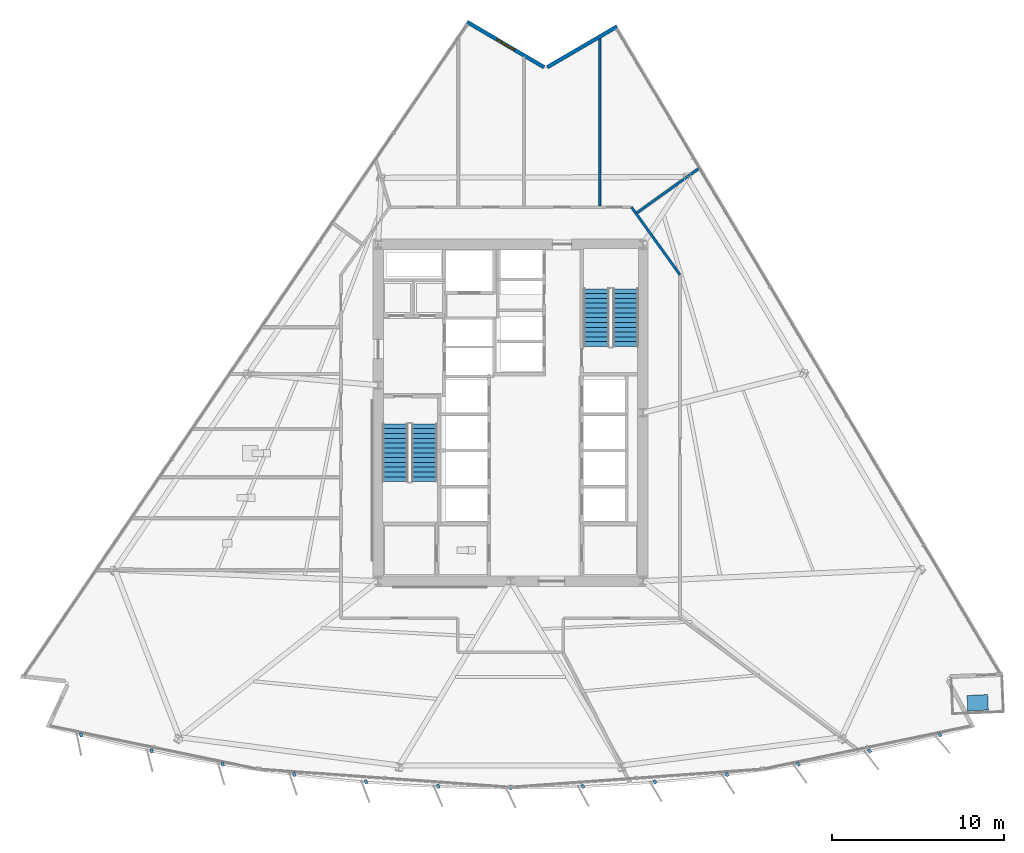
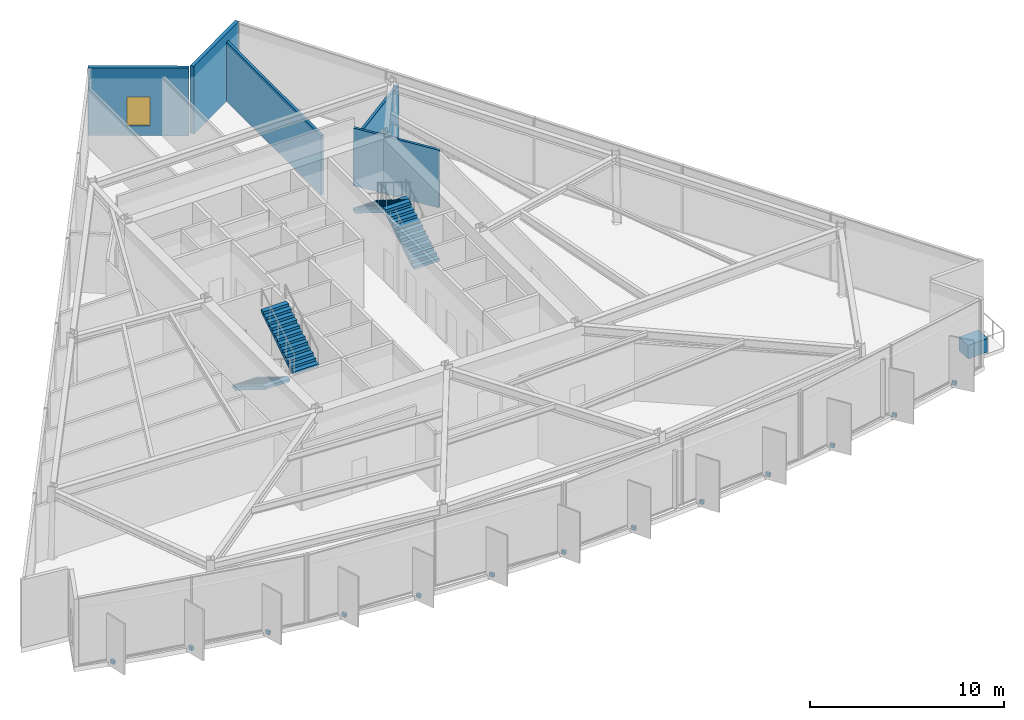
# One storey, part 9 of 14: 14 discrete accessories, 5 walls, 4 stair flights, 1 window, 1 opening, 2 elements without a shape of their own.
"""IFC4 building model written with IfcOpenShell, lengths in metres."""

from ifc_helpers import new_model, si_unit, direction, frame, frame_2d, origin, origin_2d, place, context, subcontext, project, spatial, polyline, rectangle, outline, extrude, material, layer, layer_set, type_object, element, fill, aggregate, save


model = new_model("IFC4")

# Units and contexts
model_context = context("Model", 3, precision=1e-05, world=origin(), true_north=direction((0.0, 1.0)))
body_context = subcontext(model_context, "Body", "Model", "MODEL_VIEW")
ifc_project = project(units=[si_unit("LENGTHUNIT", "METRE"), si_unit("AREAUNIT", "SQUARE_METRE"), si_unit("VOLUMEUNIT", "CUBIC_METRE"), si_unit("PLANEANGLEUNIT", "RADIAN"), si_unit("MASSUNIT", "GRAM", prefix="KILO")], contexts=[model_context])

# Site, building, storey
site_placement = place(None, origin())
site = spatial("IfcSite", under=ifc_project, at=site_placement, CompositionType="ELEMENT")
building_placement = place(site_placement, origin())
building = spatial("IfcBuilding", under=site, at=building_placement, Name="Savorim Split Tower", CompositionType="ELEMENT")
storey_placement = place(building_placement, frame((0.0, 0.0, 78.0)))
storey = spatial("IfcBuildingStorey", under=building, at=storey_placement, Name="L20", CompositionType="ELEMENT", Elevation=78.0)

# Wall
ifc_material_1 = material(Name="Precast concrete C40/50", Category="concrete")
ifc_layer_1 = layer(ifc_material_1, 0.219970703125)
ifc_layer_set_1 = layer_set([ifc_layer_1], Name="WAL-EXT-CRN220")
wall_type_1 = type_object("IfcWallType", Name="WAL-EXT-CRN220", PredefinedType="SOLIDWALL", material=ifc_layer_set_1)
wall_1_placement = place(storey_placement, frame((2.141845703125, 20.502197265625, 0.0), z_axis=(0.0, 0.0, 1.0), x_axis=(0.863981097269, 0.503524243272, 0.0)))
element("IfcWall", 1, at=wall_1_placement, inside=storey, type_object=wall_type_1, Name="L20 Notched Corner Facade Wall NE1", PredefinedType="SOLIDWALL", context=body_context, shape_type="SweptSolid", body=[
    extrude(rectangle(XDim=4.684326171875, YDim=0.219970703125, at=frame_2d((2.34228515625, 0.0))), origin(), (0.0, 0.0, 1.0), 4.25),
])

# Wall, opening, window
wall_2_placement = place(storey_placement, frame((-2.509521484375, 23.12451171875, 0.0), z_axis=(0.0, 0.0, 1.0), x_axis=(0.862103972413, -0.506731428618, 0.0)))
wall_2 = element("IfcWall", 2, at=wall_2_placement, inside=storey, type_object=wall_type_1, Name="L20 Notched Corner Facade Wall N", PredefinedType="SOLIDWALL", context=body_context, shape_type="SweptSolid", body=[
    extrude(rectangle(XDim=5.174560546875, YDim=0.219970703125, at=frame_2d((2.58740234375, 0.0))), origin(), (0.0, 0.0, 1.0), 4.25),
])
opening_placement = place(wall_2_placement, frame((1.9873046875, 0.0, 0.6201171875)))
opening = element("IfcOpeningElement", 3, at=opening_placement, cuts=wall_2, Name="Opening WN-08", PredefinedType="OPENING", context=body_context, shape_type="SweptSolid", body=[
    extrude(rectangle(XDim=1.199951171875, YDim=1.800048828125, at=frame_2d((0.60009765625, 0.89990234375))), frame((0.0, 0.119873046875, 0.0), z_axis=(0.0, -1.0, 0.0), x_axis=(1.0, 0.0, 0.0)), (0.0, 0.0, 1.0), 0.239990234375),
])
ifc_material_2 = material(Name="Low-E Operable Double Glazing", Category="glass")
window_type = type_object("IfcWindowType", Name="WIN-TWR-1200x1800", PartitioningType="SINGLE_PANEL", PredefinedType="WINDOW", material=ifc_material_2)
window_placement = place(opening_placement, origin())
window = element("IfcWindow", 4, at=window_placement, inside=storey, type_object=window_type, Name="L20 Operable Corner Window N", OverallHeight=1.800048828125, OverallWidth=1.199951171875, PartitioningType="SINGLE_PANEL", PredefinedType="WINDOW", context=body_context, shape_type="SweptSolid", body=[
    extrude(rectangle(XDim=1.199951171875, YDim=1.800048828125, at=frame_2d((0.60009765625, 0.89990234375))), frame((0.0, 0.030029296875, 0.0), z_axis=(0.0, -1.0, 0.0), x_axis=(1.0, 0.0, 0.0)), (0.0, 0.0, 1.0), 0.06005859375),
])
fill(opening, window)

# Walls
ifc_material_3 = material(Name="Acoustic Gypsum Partition Board")
ifc_layer_2 = layer(ifc_material_3, 0.14990234375)
ifc_layer_set_2 = layer_set([ifc_layer_2], Name="WAL-PAR-150")
wall_type_2 = type_object("IfcWallType", Name="WAL-PAR-150", PredefinedType="PARTITIONING", material=ifc_layer_set_2)
wall_3_placement = place(storey_placement, frame((7.041015625, 12.360107421875, 0.0), z_axis=(0.0, 0.0, 1.0), x_axis=(0.582449511476, -0.812866881218, 0.0)))
element("IfcWall", 5, at=wall_3_placement, inside=storey, type_object=wall_type_2, Name="L20 Partition W-L20-COR-04", PredefinedType="PARTITIONING", context=body_context, shape_type="SweptSolid", body=[
    extrude(rectangle(XDim=4.840087890625, YDim=0.14990234375, at=frame_2d((2.419921875, 0.0))), origin(), (0.0, 0.0, 1.0), 3.625),
])
wall_4_placement = place(storey_placement, frame((7.353759765625, 12.026611328125, 0.0), z_axis=(0.0, 0.0, 1.0), x_axis=(0.812897262099, 0.582407109565, 0.0)))
element("IfcWall", 6, at=wall_4_placement, inside=storey, type_object=wall_type_2, Name="L20 Partition W-L20-SLR07", PredefinedType="PARTITIONING", context=body_context, shape_type="SweptSolid", body=[
    extrude(rectangle(XDim=4.42333984375, YDim=0.14990234375, at=frame_2d((2.211669921875, 0.0))), origin(), (0.0, 0.0, 1.0), 3.625),
])
wall_5_placement = place(storey_placement, frame((5.204345703125, 12.419921875, 0.0), z_axis=(0.0, 0.0, 1.0), x_axis=(0.0, 1.0, 0.0)))
element("IfcWall", 7, at=wall_5_placement, inside=storey, type_object=wall_type_2, Name="L20 Partition W-L20-SLSUB06", PredefinedType="PARTITIONING", context=body_context, shape_type="SweptSolid", body=[
    extrude(rectangle(XDim=9.80908203125, YDim=0.14990234375, at=frame_2d((4.904541015625, 0.0))), origin(), (0.0, 0.0, 1.0), 3.735107421875),
])

# Stair, stair flights
ifc_material_4 = material(Name="Concrete C50/60", Category="concrete")
stair_type = type_object("IfcStairType", Name="STR-DOG-4500", PredefinedType="HALF_TURN_STAIR", material=ifc_material_4)
stair_1_placement = place(storey_placement, origin())
stair_1 = element("IfcStair", 8, at=stair_1_placement, inside=storey, type_object=stair_type, Name="L20 Core Protected Exit Stair ST-1", PredefinedType="HALF_TURN_STAIR")
stair_flight_type = type_object("IfcStairFlightType", Name="SFL-DOG-4500", PredefinedType="STRAIGHT", material=ifc_material_4)
stair_flight_1_placement = place(storey_placement, frame((-6.699951171875, -0.25, 0.0), z_axis=(0.0, 0.0, 1.0), x_axis=(0.0, -1.0, 0.0)))
stair_flight_1 = element("IfcStairFlight", 9, at=stair_flight_1_placement, type_object=stair_flight_type, Name="ST-1 flight 1", NumberOfRisers=13, NumberOfTreads=12, PredefinedType="STRAIGHT", RiserHeight=0.173076923, TreadLength=0.28, context=body_context, shape_type="SweptSolid", body=[
    extrude(outline(polyline([(0.0, 0.0), (0.0, 0.173095703125), (0.280029296875, 0.173095703125), (0.280029296875, 0.34619140625), (0.56005859375, 0.34619140625), (0.56005859375, 0.519287109375), (0.840087890625, 0.519287109375), (0.840087890625, 0.6923828125), (1.1201171875, 0.6923828125), (1.1201171875, 0.865478515625), (1.39990234375, 0.865478515625), (1.39990234375, 1.03857421875), (1.679931640625, 1.03857421875), (1.679931640625, 1.21142578125), (1.9599609375, 1.21142578125), (1.9599609375, 1.384521484375), (2.239990234375, 1.384521484375), (2.239990234375, 1.5576171875), (2.52001953125, 1.5576171875), (2.52001953125, 1.730712890625), (2.800048828125, 1.730712890625), (2.800048828125, 1.90380859375), (3.080078125, 1.90380859375), (3.080078125, 2.076904296875), (3.360107421875, 2.076904296875), (3.360107421875, 2.25), (3.360107421875, 1.900634765625), (0.28515625, 0.0), (0.0, 0.0)])), frame((0.0, 0.75, 0.0), z_axis=(0.0, -1.0, 0.0), x_axis=(1.0, 0.0, 0.0)), (0.0, 0.0, 1.0), 1.5),
])
stair_flight_2_placement = place(storey_placement, frame((-5.0, -3.610107421875, 2.25), z_axis=(0.0, 0.0, 1.0), x_axis=(0.0, 1.0, 0.0)))
stair_flight_2 = element("IfcStairFlight", 10, at=stair_flight_2_placement, type_object=stair_flight_type, Name="ST-1 flight 2", NumberOfRisers=13, NumberOfTreads=12, PredefinedType="STRAIGHT", RiserHeight=0.173076923, TreadLength=0.28, context=body_context, shape_type="SweptSolid", body=[
    extrude(outline(polyline([(0.0, 0.0), (0.0, 0.173095703125), (0.280029296875, 0.173095703125), (0.280029296875, 0.34619140625), (0.56005859375, 0.34619140625), (0.56005859375, 0.519287109375), (0.840087890625, 0.519287109375), (0.840087890625, 0.6923828125), (1.1201171875, 0.6923828125), (1.1201171875, 0.865478515625), (1.39990234375, 0.865478515625), (1.39990234375, 1.03857421875), (1.679931640625, 1.03857421875), (1.679931640625, 1.21142578125), (1.9599609375, 1.21142578125), (1.9599609375, 1.384521484375), (2.239990234375, 1.384521484375), (2.239990234375, 1.5576171875), (2.52001953125, 1.5576171875), (2.52001953125, 1.730712890625), (2.800048828125, 1.730712890625), (2.800048828125, 1.90380859375), (3.080078125, 1.90380859375), (3.080078125, 2.076904296875), (3.360107421875, 2.076904296875), (3.360107421875, 2.25), (3.360107421875, 1.900634765625), (0.28515625, 0.0), (0.0, 0.0)])), frame((0.0, 0.75, 0.0), z_axis=(0.0, -1.0, 0.0), x_axis=(1.0, 0.0, 0.0)), (0.0, 0.0, 1.0), 1.5),
])
aggregate(stair_1, [stair_flight_1, stair_flight_2])

stair_2_placement = place(storey_placement, origin())
stair_2 = element("IfcStair", 11, at=stair_2_placement, inside=storey, type_object=stair_type, Name="L20 Core Protected Exit Stair ST-2", PredefinedType="HALF_TURN_STAIR")
stair_flight_3_placement = place(storey_placement, frame((6.699951171875, 4.25, 0.0), z_axis=(0.0, 0.0, 1.0), x_axis=(0.0, 1.0, 0.0)))
stair_flight_3 = element("IfcStairFlight", 12, at=stair_flight_3_placement, type_object=stair_flight_type, Name="ST-2 flight 1", NumberOfRisers=13, NumberOfTreads=12, PredefinedType="STRAIGHT", RiserHeight=0.173076923, TreadLength=0.28, context=body_context, shape_type="SweptSolid", body=[
    extrude(outline(polyline([(0.0, 0.0), (0.0, 0.173095703125), (0.280029296875, 0.173095703125), (0.280029296875, 0.34619140625), (0.56005859375, 0.34619140625), (0.56005859375, 0.519287109375), (0.840087890625, 0.519287109375), (0.840087890625, 0.6923828125), (1.1201171875, 0.6923828125), (1.1201171875, 0.865478515625), (1.39990234375, 0.865478515625), (1.39990234375, 1.03857421875), (1.679931640625, 1.03857421875), (1.679931640625, 1.21142578125), (1.9599609375, 1.21142578125), (1.9599609375, 1.384521484375), (2.239990234375, 1.384521484375), (2.239990234375, 1.5576171875), (2.52001953125, 1.5576171875), (2.52001953125, 1.730712890625), (2.800048828125, 1.730712890625), (2.800048828125, 1.90380859375), (3.080078125, 1.90380859375), (3.080078125, 2.076904296875), (3.360107421875, 2.076904296875), (3.360107421875, 2.25), (3.360107421875, 1.900634765625), (0.28515625, 0.0), (0.0, 0.0)])), frame((0.0, 0.75, 0.0), z_axis=(0.0, -1.0, 0.0), x_axis=(1.0, 0.0, 0.0)), (0.0, 0.0, 1.0), 1.5),
])
stair_flight_4_placement = place(storey_placement, frame((5.0, 7.610107421875, 2.25), z_axis=(0.0, 0.0, 1.0), x_axis=(0.0, -1.0, 0.0)))
stair_flight_4 = element("IfcStairFlight", 13, at=stair_flight_4_placement, type_object=stair_flight_type, Name="ST-2 flight 2", NumberOfRisers=13, NumberOfTreads=12, PredefinedType="STRAIGHT", RiserHeight=0.173076923, TreadLength=0.28, context=body_context, shape_type="SweptSolid", body=[
    extrude(outline(polyline([(0.0, 0.0), (0.0, 0.173095703125), (0.280029296875, 0.173095703125), (0.280029296875, 0.34619140625), (0.56005859375, 0.34619140625), (0.56005859375, 0.519287109375), (0.840087890625, 0.519287109375), (0.840087890625, 0.6923828125), (1.1201171875, 0.6923828125), (1.1201171875, 0.865478515625), (1.39990234375, 0.865478515625), (1.39990234375, 1.03857421875), (1.679931640625, 1.03857421875), (1.679931640625, 1.21142578125), (1.9599609375, 1.21142578125), (1.9599609375, 1.384521484375), (2.239990234375, 1.384521484375), (2.239990234375, 1.5576171875), (2.52001953125, 1.5576171875), (2.52001953125, 1.730712890625), (2.800048828125, 1.730712890625), (2.800048828125, 1.90380859375), (3.080078125, 1.90380859375), (3.080078125, 2.076904296875), (3.360107421875, 2.076904296875), (3.360107421875, 2.25), (3.360107421875, 1.900634765625), (0.28515625, 0.0), (0.0, 0.0)])), frame((0.0, 0.75, 0.0), z_axis=(0.0, -1.0, 0.0), x_axis=(1.0, 0.0, 0.0)), (0.0, 0.0, 1.0), 1.5),
])
aggregate(stair_2, [stair_flight_3, stair_flight_4])

# Discrete accessories
ifc_material_5 = material(Name="Steel S355", Category="steel")
discrete_accessory_type_1 = type_object("IfcDiscreteAccessoryType", Name="ACC-BRK-FIN", PredefinedType="BRACKET", material=ifc_material_5)
for number, where, z_axis, x_axis, name in (
    (14, (-24.9814453125, -18.338134765625, -0.18994140625), (0.0, 0.0, 1.0), (0.206721626106, -0.978399800337, 0.0), "L20 Fin Slab-Edge Cleat Bracket 01"),
    (15, (-20.882080078125, -19.276611328125, -0.18994140625), (0.0, 0.0, 1.0), (0.246581250663, -0.969122121727, 0.0), "L20 Fin Slab-Edge Cleat Bracket 02"),
    (16, (-16.747802734375, -20.046875, -0.18994140625), (0.0, 0.0, 1.0), (0.286026212504, -0.958221793616, 0.0), "L20 Fin Slab-Edge Cleat Bracket 03"),
    (17, (-12.58544921875, -20.647216796875, -0.18994140625), (0.0, 0.0, 1.0), (0.324993810493, -0.945716143005, 0.0), "L20 Fin Slab-Edge Cleat Bracket 04"),
    (18, (-8.402099609375, -21.07666015625, -0.18994140625), (0.0, 0.0, 1.0), (0.363415461732, -0.931627179817, 0.0), "L20 Fin Slab-Edge Cleat Bracket 05"),
    (19, (-4.20458984375, -21.334716796875, -0.18994140625), (0.0, 0.0, 1.0), (0.401230091723, -0.915977299662, 0.0), "L20 Fin Slab-Edge Cleat Bracket 06"),
    (20, (0.0, -21.4208984375, -0.18994140625), (0.0, 0.0, 1.0), (0.438371146789, -0.898794046299, 0.0), "L20 Fin Slab-Edge Cleat Bracket 07"),
    (21, (4.20458984375, -21.334716796875, -0.18994140625), (0.0, 0.0, 1.0), (0.474778051978, -0.880105562623, 0.0), "L20 Fin Slab-Edge Cleat Bracket 08"),
    (22, (8.402099609375, -21.07666015625, -0.18994140625), (0.0, 0.0, 1.0), (0.510391336723, -0.859942255851, 0.0), "L20 Fin Slab-Edge Cleat Bracket 09"),
    (23, (12.58544921875, -20.647216796875, -0.18994140625), (0.0, 0.0, 1.0), (0.545148321708, -0.838339613366, 0.0), "L20 Fin Slab-Edge Cleat Bracket 10"),
    (24, (16.747802734375, -20.046875, -0.18994140625), (0.0, 0.0, 1.0), (0.578993757737, -0.815331974414, 0.0), "L20 Fin Slab-Edge Cleat Bracket 11"),
    (25, (20.882080078125, -19.276611328125, -0.18994140625), (0.0, 0.0, 1.0), (0.611868076908, -0.790959832394, 0.0), "L20 Fin Slab-Edge Cleat Bracket 12"),
    (26, (24.9814453125, -18.338134765625, -0.18994140625), (0.0, 0.0, 1.0), (0.643719022682, -0.765261928909, 0.0), "L20 Fin Slab-Edge Cleat Bracket 13"),
):
    element("IfcDiscreteAccessory", number, at=place(storey_placement, frame(where, z_axis=z_axis, x_axis=x_axis)), inside=storey, type_object=discrete_accessory_type_1, Name=name, PredefinedType="BRACKET", context=body_context, shape_type="SweptSolid", body=[
        extrude(rectangle(XDim=0.239990234375, YDim=0.159912109375, at=origin_2d()), origin(), (0.0, 0.0, 1.0), 0.219970703125),
    ])
ifc_material_6 = material(Name="Architectural Precast Planter Concrete C40/50", Category="concrete")
discrete_accessory_type_2 = type_object("IfcDiscreteAccessoryType", Name="ACC-PLN-TREE", PredefinedType="USERDEFINED", material=ifc_material_6)
discrete_accessory_placement = place(storey_placement, frame((27.18310546875, -16.473876953125, 0.0), z_axis=(0.0, 0.0, 1.0), x_axis=(0.999095505441, 0.042522594075, 0.0)))
element("IfcDiscreteAccessory", 27, at=discrete_accessory_placement, inside=storey, type_object=discrete_accessory_type_2, Name="L20 Balcony Precast Tree Planter SE", ObjectType="PLANTER", PredefinedType="USERDEFINED", context=body_context, shape_type="SweptSolid", body=[
    extrude(rectangle(XDim=1.199951171875, YDim=0.89990234375, at=origin_2d()), origin(), (0.0, 0.0, 1.0), 0.85009765625),
])

save(model, "model.ifc")
